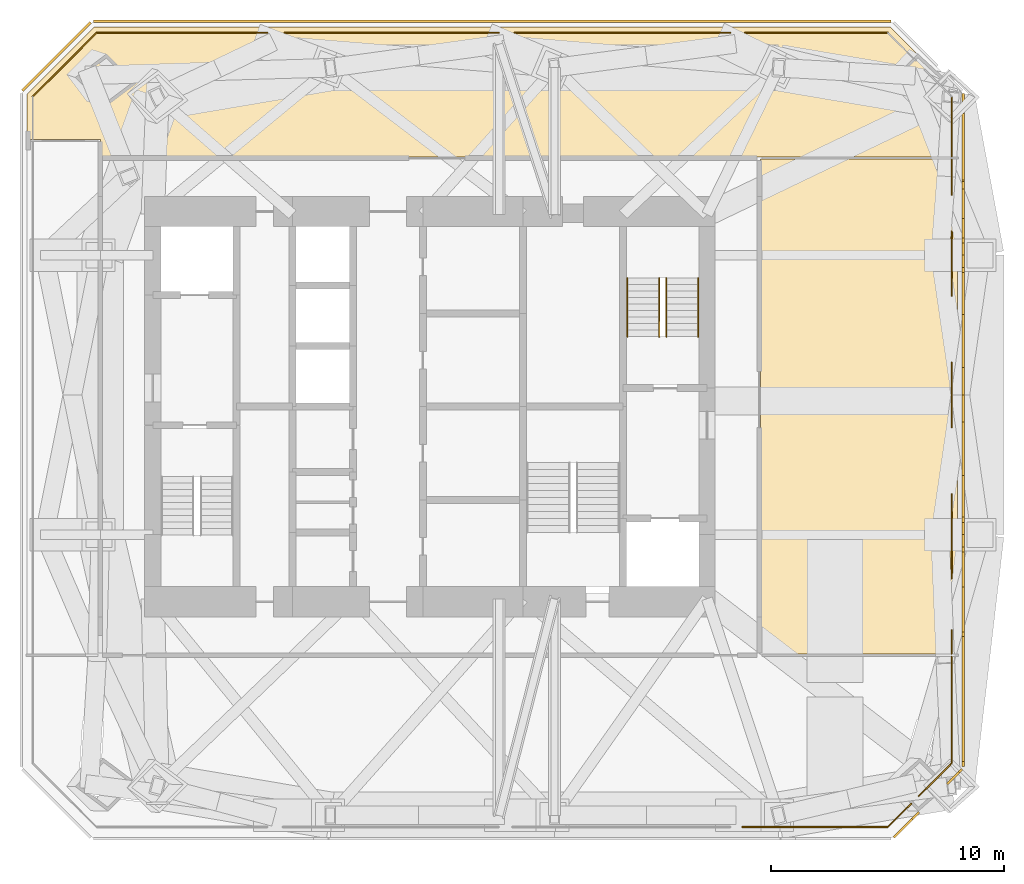
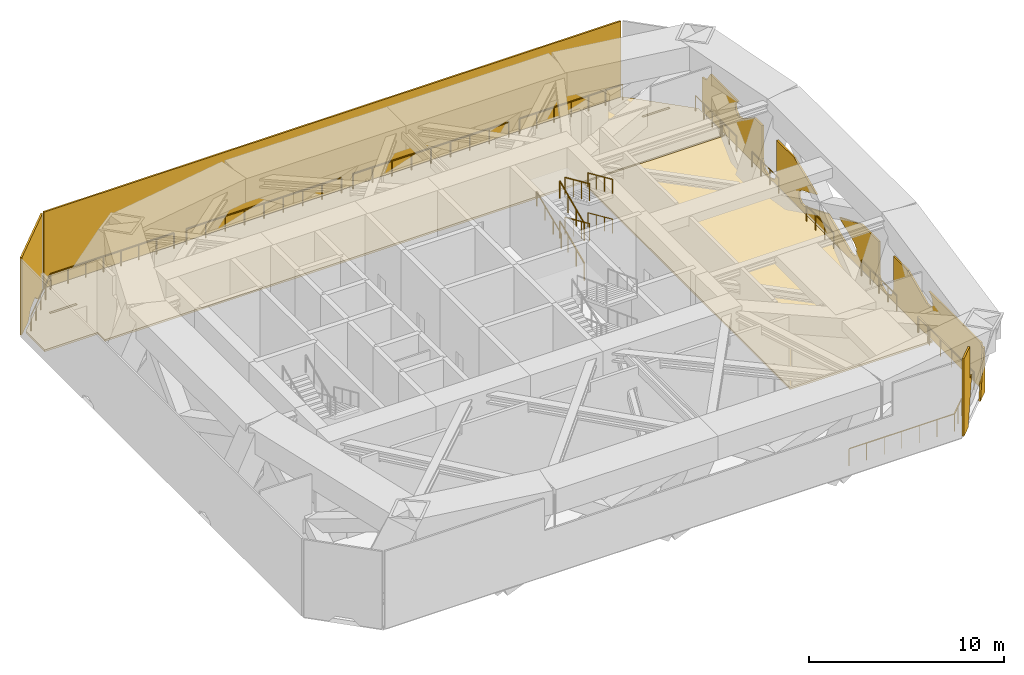
# One storey, part 8 of 9: 22 railings, 5 shading devices, 2 coverings.
"""IFC4 building model written with IfcOpenShell, lengths in metres."""

import ifcopenshell
import ifcopenshell.guid

model = None  # the IFC model being written
_history = None  # IfcOwnerHistory: only IFC2X3 demands one
_inside = {}  # id of a spatial element -> (the spatial element, [elements in it])
_under = {}  # id of a project, library or spatial element -> (it, [spatial elements below it])
_declared = {}  # id of a project -> (the project, [libraries it declares])
_typed = {}  # id of a type object -> (the type object, [elements of that type])
_made_of = {}  # id of a material, layer set ... -> (it, [elements and type objects made of it])


def new_model(schema):
    """Start an empty IFC model of exactly this schema.

    Asked for "IFC4X3", IfcOpenShell would pick the latest addendum, in which some entities
    have other attributes; the version numbers below select the first issue.
    IFC2X3 requires an IfcOwnerHistory on every rooted entity: one is made here for all.
    """
    global model, _history
    if schema == "IFC4X3":
        model = ifcopenshell.file(schema_version=(4, 3, 0, 0))
    else:
        model = ifcopenshell.file(schema=schema)
    _inside.clear()
    _under.clear()
    _declared.clear()
    _typed.clear()
    _made_of.clear()
    _history = None
    if model.schema == "IFC2X3":
        org = make("IfcOrganization", Name="unknown")
        user = make(
            "IfcPersonAndOrganization",
            ThePerson=make("IfcPerson", FamilyName="unknown"),
            TheOrganization=org,
        )
        app = make(
            "IfcApplication",
            ApplicationDeveloper=org,
            Version="unknown",
            ApplicationFullName="unknown",
            ApplicationIdentifier="unknown",
        )
        _history = make(
            "IfcOwnerHistory",
            OwningUser=user,
            OwningApplication=app,
            ChangeAction="ADDED",
            CreationDate=0,
        )
    return model


def make(cls, **values):
    """One entity of the class cls with the attributes given. An attribute that is None is left unset."""
    return model.create_entity(
        cls, **{name: value for name, value in values.items() if value is not None}
    )


def rooted(cls, **values):
    """An entity with a GlobalId (a new one), such as an element, a storey or a relation."""
    return make(cls, GlobalId=ifcopenshell.guid.new(), OwnerHistory=_history, **values)


def si_unit(unit_type, name, prefix=None):
    """IfcSIUnit, for example si_unit("LENGTHUNIT", "METRE", prefix="MILLI")."""
    return make("IfcSIUnit", UnitType=unit_type, Prefix=prefix, Name=name)


def assignment(units):
    """IfcUnitAssignment: the units of a project."""
    return None if units is None else make("IfcUnitAssignment", Units=units)


def point(xyz):
    """IfcCartesianPoint."""
    return None if xyz is None else make("IfcCartesianPoint", Coordinates=xyz)


def direction(xyz):
    """IfcDirection."""
    return None if xyz is None else make("IfcDirection", DirectionRatios=xyz)


def frame(location, z_axis=None, x_axis=None):
    """IfcAxis2Placement3D, a coordinate frame: its origin and axes. An axis left out is left unset."""
    return make(
        "IfcAxis2Placement3D",
        Location=point(location),
        Axis=direction(z_axis),
        RefDirection=direction(x_axis),
    )


def frame_2d(location, x_axis=None):
    """IfcAxis2Placement2D, a coordinate frame in the plane: its origin and x axis."""
    return make(
        "IfcAxis2Placement2D", Location=point(location), RefDirection=direction(x_axis)
    )


def origin():
    """The frame at (0, 0, 0) with its axes left unset."""
    return frame((0.0, 0.0, 0.0))


def origin_2d():
    """The frame at (0, 0) in the plane with its x axis left unset."""
    return frame_2d((0.0, 0.0))


def place(relative_to, where):
    """IfcLocalPlacement: puts the frame where relative to a parent placement (None: the world)."""
    return make(
        "IfcLocalPlacement", PlacementRelTo=relative_to, RelativePlacement=where
    )


def context(
    kind, dimensions, precision=None, world=None, true_north=None, identifier=None
):
    """IfcGeometricRepresentationContext, for example the 3D "Model" context."""
    return make(
        "IfcGeometricRepresentationContext",
        ContextIdentifier=identifier,
        ContextType=kind,
        CoordinateSpaceDimension=dimensions,
        Precision=precision,
        WorldCoordinateSystem=world,
        TrueNorth=true_north,
    )


def subcontext(parent, identifier, kind, view, scale=None):
    """IfcGeometricRepresentationSubContext, for example "Body" below "Model"."""
    return make(
        "IfcGeometricRepresentationSubContext",
        ContextIdentifier=identifier,
        ContextType=kind,
        ParentContext=parent,
        TargetScale=scale,
        TargetView=view,
    )


def project(units=None, contexts=None):
    """IfcProject with its units and contexts."""
    return rooted(
        "IfcProject",
        Name="project",
        RepresentationContexts=contexts,
        UnitsInContext=assignment(units),
    )


def spatial(cls, under=None, at=None, **own):
    """A site, building, storey or space (cls), placed at a placement, below another one or the project."""
    s = rooted(cls, ObjectPlacement=at, **own)
    if under is not None:
        _under.setdefault(under.id(), (under, []))[1].append(s)
    return s


def polyline(points):
    """IfcPolyline through the points."""
    return make("IfcPolyline", Points=[point(p) for p in points])


def profile(cls, at=None, kind="AREA", **sizes):
    """A parametric profile (cls). Its sizes go by their IFC names, for example OverallWidth=200.0."""
    return make(cls, ProfileType=kind, Position=at, **sizes)


def rectangle(**sizes):
    """IfcRectangleProfileDef."""
    return profile("IfcRectangleProfileDef", **sizes)


def circle(**sizes):
    """IfcCircleProfileDef."""
    return profile("IfcCircleProfileDef", **sizes)


def outline(outer, holes=None, kind="AREA"):
    """IfcArbitraryClosedProfileDef: a profile drawn as a closed curve; with holes, ...WithVoids."""
    if holes is None:
        return make("IfcArbitraryClosedProfileDef", ProfileType=kind, OuterCurve=outer)
    return make(
        "IfcArbitraryProfileDefWithVoids",
        ProfileType=kind,
        OuterCurve=outer,
        InnerCurves=holes,
    )


def extrude(swept, where, along, depth):
    """IfcExtrudedAreaSolid: the profile swept, set in the frame where, extruded along a direction by depth."""
    return make(
        "IfcExtrudedAreaSolid",
        SweptArea=swept,
        Position=where,
        ExtrudedDirection=direction(along),
        Depth=depth,
    )


def shape(context_of_items, identifier, shape_type, items):
    """IfcShapeRepresentation: the items that make up one representation, for example the "Body"."""
    return make(
        "IfcShapeRepresentation",
        ContextOfItems=context_of_items,
        RepresentationIdentifier=identifier,
        RepresentationType=shape_type,
        Items=items,
    )


def material(Name=None, Category=None):
    """IfcMaterial."""
    return make("IfcMaterial", Name=Name, Category=Category)


def layer(
    of_material, thickness, ventilated=None, Name=None, Category=None, Priority=None
):
    """IfcMaterialLayer: one layer of a wall or slab, of a material (None: an air gap)."""
    return make(
        "IfcMaterialLayer",
        Material=of_material,
        LayerThickness=thickness,
        IsVentilated=ventilated,
        Name=Name,
        Category=Category,
        Priority=Priority,
    )


def layer_set(layers, Name=None):
    """IfcMaterialLayerSet."""
    return make("IfcMaterialLayerSet", MaterialLayers=layers, LayerSetName=Name)


def constituent(of_material, Name=None, Category=None, fraction=None):
    """IfcMaterialConstituent: one of the materials an element consists of."""
    return make(
        "IfcMaterialConstituent",
        Name=Name,
        Material=of_material,
        Fraction=fraction,
        Category=Category,
    )


def constituent_set(constituents=None, Name=None):
    """IfcMaterialConstituentSet."""
    return make(
        "IfcMaterialConstituentSet", Name=Name, MaterialConstituents=constituents
    )


def made_of(thing, what):
    """Note that an element or type object is made of a material, layer set ...; save() writes the relation."""
    if what is not None:
        _made_of.setdefault(what.id(), (what, []))[1].append(thing)
    return thing


def type_object(cls, material=None, **own):
    """A type object (cls), such as IfcWallType, which elements share."""
    return made_of(rooted(cls, **own), material)


def element(
    cls,
    number,
    at=None,
    inside=None,
    cuts=None,
    type_object=None,
    material=None,
    context=None,
    identifier="Body",
    shape_type=None,
    held_by="IfcProductDefinitionShape",
    body=None,
    shapes=None,
    **own,
):
    """One element of the class cls, such as IfcWall. Its Tag is "e" and its number.

    at: its placement. inside: the storey or other place that contains it. cuts: it is an
    opening in that element (IfcRelVoidsElement). A single representation is given by context,
    identifier, shape_type and body (its items); several are given by shapes. held_by: the class
    of the entity that holds the representations. save() writes the other relations.
    """
    e = rooted(cls, Tag="e%d" % number, ObjectPlacement=at, **own)
    if body is not None:
        shapes = [shape(context, identifier, shape_type, body)]
    if shapes is not None:
        e.Representation = make(held_by, Representations=shapes)
    if inside is not None:
        _inside.setdefault(inside.id(), (inside, []))[1].append(e)
    if cuts is not None:
        rooted(
            "IfcRelVoidsElement", RelatingBuildingElement=cuts, RelatedOpeningElement=e
        )
    if type_object is not None:
        _typed.setdefault(type_object.id(), (type_object, []))[1].append(e)
    return made_of(e, material)


def aggregate(whole, parts):
    """IfcRelAggregates: a whole, such as a stair, and the parts it consists of."""
    return rooted("IfcRelAggregates", RelatingObject=whole, RelatedObjects=parts)


def save(model, path):
    """Write the relations noted so far, then the file.

    IfcRelAggregates (storeys below a building ...), IfcRelContainedInSpatialStructure (elements
    in a storey), IfcRelDefinesByType, IfcRelAssociatesMaterial and IfcRelDeclares: one each for
    every whole, place, type object, material and project.
    """
    for whole, parts in _under.values():
        aggregate(whole, parts)
    for where, things in _inside.values():
        rooted(
            "IfcRelContainedInSpatialStructure",
            RelatedElements=things,
            RelatingStructure=where,
        )
    for kind, things in _typed.values():
        rooted("IfcRelDefinesByType", RelatedObjects=things, RelatingType=kind)
    for what, things in _made_of.values():
        rooted("IfcRelAssociatesMaterial", RelatedObjects=things, RelatingMaterial=what)
    for by, libraries in _declared.values():
        rooted("IfcRelDeclares", RelatingContext=by, RelatedDefinitions=libraries)
    model.write(path)


model = new_model("IFC4")

# Units and contexts
model_context = context("Model", 3, precision=1e-05, world=origin(), true_north=direction((0.0, 1.0)))
body_context = subcontext(model_context, "Body", "Model", "MODEL_VIEW")
ifc_project = project(units=[si_unit("LENGTHUNIT", "METRE"), si_unit("AREAUNIT", "SQUARE_METRE"), si_unit("VOLUMEUNIT", "CUBIC_METRE"), si_unit("PLANEANGLEUNIT", "RADIAN"), si_unit("MASSUNIT", "GRAM", prefix="KILO")], contexts=[model_context])

# Site, building, storey
site_placement = place(None, origin())
site = spatial("IfcSite", under=ifc_project, at=site_placement, CompositionType="ELEMENT")
building_placement = place(site_placement, origin())
building = spatial("IfcBuilding", under=site, at=building_placement, Name="Jalousie Tower", CompositionType="ELEMENT")
storey_placement = place(building_placement, frame((0.0, 0.0, 212.949951171875)))
storey = spatial("IfcBuildingStorey", under=building, at=storey_placement, Name="L58", CompositionType="ELEMENT", Elevation=212.949951171875)

# Coverings
ifc_material_1 = material(Name="Sand-cement screed on resilient layer", Category="concrete")
ifc_layer_1 = layer(ifc_material_1, 0.1201171875)
ifc_layer_set_1 = layer_set([ifc_layer_1], Name="Sand-cement screed on resilient layer")
covering_type = type_object("IfcCoveringType", Name="FLOATING PLANT SCREED 120", PredefinedType="FLOORING", material=ifc_layer_set_1)
covering_1_placement = place(storey_placement, origin())
element("IfcCovering", 1, at=covering_1_placement, inside=storey, type_object=covering_type, Name="Floating screed Pump room", PredefinedType="FLOORING", context=body_context, shape_type="SweptSolid", body=[
    extrude(outline(polyline([(17.48291015625, 34.800048828125), (51.667236328125, 34.800048828125), (54.550048828125, 31.917236328125), (54.550048828125, 29.22509765625), (17.75, 29.22509765625), (17.75, 29.97509765625), (14.60009765625, 29.97509765625), (14.60009765625, 31.917236328125), (17.48291015625, 34.800048828125)]), holes=[polyline([(51.672119140625, 32.65966796875), (53.272216796875, 32.65966796875), (53.272216796875, 32.78466796875), (51.672119140625, 32.78466796875), (51.672119140625, 32.65966796875)]), polyline([(16.477783203125, 32.65966796875), (18.077880859375, 32.65966796875), (18.077880859375, 32.78466796875), (16.477783203125, 32.78466796875), (16.477783203125, 32.65966796875)])]), origin(), (0.0, 0.0, 1.0), 0.1201171875),
])
covering_2_placement = place(storey_placement, origin())
element("IfcCovering", 2, at=covering_2_placement, inside=storey, type_object=covering_type, Name="Floating screed Water tank room", PredefinedType="FLOORING", context=body_context, shape_type="SweptSolid", body=[
    extrude(outline(polyline([(54.550048828125, 29.125), (54.550048828125, 7.875), (46.10009765625, 7.875), (46.10009765625, 29.125), (54.550048828125, 29.125)])), origin(), (0.0, 0.0, 1.0), 0.1201171875),
])

# Railings
ifc_material_2 = material(Name="Stainless steel AISI 316", Category="steel")
railing_type_1 = type_object("IfcRailingType", Name="PLANT GUARDRAIL 1100", PredefinedType="GUARDRAIL", material=ifc_material_2)
railing_1_placement = place(storey_placement, frame((14.85009765625, 31.813720703125, 0.0)))
element("IfcRailing", 3, at=railing_1_placement, inside=storey, type_object=railing_type_1, Name="Plant floor guard L58 5", PredefinedType="GUARDRAIL", context=body_context, shape_type="SweptSolid", body=[
    extrude(rectangle(XDim=0.048095703125, YDim=0.048095703125, at=origin_2d()), frame((0.0, 0.0, 1.076171875), z_axis=(0.707106781187, 0.707106781187, 0.0), x_axis=(-0.707106781187, 0.707106781187, 0.0)), (0.0, 0.0, 1.0), 3.869873046875),
    extrude(circle(Radius=0.02099609375, at=origin_2d()), origin(), (0.0, 0.0, 1.0), 1.052001953125),
    extrude(circle(Radius=0.02099609375, at=origin_2d()), frame((0.68408203125, 0.68408203125, 0.0)), (0.0, 0.0, 1.0), 1.052001953125),
    extrude(circle(Radius=0.02099609375, at=origin_2d()), frame((1.3681640625, 1.3681640625, 0.0)), (0.0, 0.0, 1.0), 1.052001953125),
    extrude(circle(Radius=0.02099609375, at=origin_2d()), frame((2.05224609375, 2.05224609375, 0.0)), (0.0, 0.0, 1.0), 1.052001953125),
    extrude(circle(Radius=0.02099609375, at=origin_2d()), frame((2.736328125, 2.736328125, 0.0)), (0.0, 0.0, 1.0), 1.052001953125),
])
railing_2_placement = place(storey_placement, frame((17.58642578125, 34.550048828125, 0.0)))
element("IfcRailing", 4, at=railing_2_placement, inside=storey, type_object=railing_type_1, Name="Plant floor guard L58 6", PredefinedType="GUARDRAIL", context=body_context, shape_type="SweptSolid", body=[
    extrude(rectangle(XDim=0.048095703125, YDim=0.048095703125, at=origin_2d()), frame((0.0, 0.0, 1.076171875), z_axis=(1.0, 0.0, 0.0), x_axis=(0.0, 1.0, 0.0)), (0.0, 0.0, 1.0), 7.3310546875),
    extrude(circle(Radius=0.02099609375, at=origin_2d()), origin(), (0.0, 0.0, 1.0), 1.052001953125),
    extrude(circle(Radius=0.02099609375, at=origin_2d()), frame((1.04736328125, 0.0, 0.0)), (0.0, 0.0, 1.0), 1.052001953125),
    extrude(circle(Radius=0.02099609375, at=origin_2d()), frame((2.094482421875, 0.0, 0.0)), (0.0, 0.0, 1.0), 1.052001953125),
    extrude(circle(Radius=0.02099609375, at=origin_2d()), frame((3.141845703125, 0.0, 0.0)), (0.0, 0.0, 1.0), 1.052001953125),
    extrude(circle(Radius=0.02099609375, at=origin_2d()), frame((4.189208984375, 0.0, 0.0)), (0.0, 0.0, 1.0), 1.052001953125),
    extrude(circle(Radius=0.02099609375, at=origin_2d()), frame((5.236572265625, 0.0, 0.0)), (0.0, 0.0, 1.0), 1.052001953125),
    extrude(circle(Radius=0.02099609375, at=origin_2d()), frame((6.28369140625, 0.0, 0.0)), (0.0, 0.0, 1.0), 1.052001953125),
    extrude(circle(Radius=0.02099609375, at=origin_2d()), frame((7.3310546875, 0.0, 0.0)), (0.0, 0.0, 1.0), 1.052001953125),
])
railing_3_placement = place(storey_placement, frame((25.658447265625, 34.550048828125, 0.0)))
element("IfcRailing", 5, at=railing_3_placement, inside=storey, type_object=railing_type_1, Name="Plant floor guard L58 7", PredefinedType="GUARDRAIL", context=body_context, shape_type="SweptSolid", body=[
    extrude(rectangle(XDim=0.048095703125, YDim=0.048095703125, at=origin_2d()), frame((0.0, 0.0, 1.076171875), z_axis=(1.0, 0.0, 0.0), x_axis=(0.0, 1.0, 0.0)), (0.0, 0.0, 1.0), 9.196533203125),
    extrude(circle(Radius=0.02099609375, at=origin_2d()), origin(), (0.0, 0.0, 1.0), 1.052001953125),
    extrude(circle(Radius=0.02099609375, at=origin_2d()), frame((1.149658203125, 0.0, 0.0)), (0.0, 0.0, 1.0), 1.052001953125),
    extrude(circle(Radius=0.02099609375, at=origin_2d()), frame((2.299072265625, 0.0, 0.0)), (0.0, 0.0, 1.0), 1.052001953125),
    extrude(circle(Radius=0.02099609375, at=origin_2d()), frame((3.44873046875, 0.0, 0.0)), (0.0, 0.0, 1.0), 1.052001953125),
    extrude(circle(Radius=0.02099609375, at=origin_2d()), frame((4.59814453125, 0.0, 0.0)), (0.0, 0.0, 1.0), 1.052001953125),
    extrude(circle(Radius=0.02099609375, at=origin_2d()), frame((5.747802734375, 0.0, 0.0)), (0.0, 0.0, 1.0), 1.052001953125),
    extrude(circle(Radius=0.02099609375, at=origin_2d()), frame((6.8974609375, 0.0, 0.0)), (0.0, 0.0, 1.0), 1.052001953125),
    extrude(circle(Radius=0.02099609375, at=origin_2d()), frame((8.046875, 0.0, 0.0)), (0.0, 0.0, 1.0), 1.052001953125),
    extrude(circle(Radius=0.02099609375, at=origin_2d()), frame((9.196533203125, 0.0, 0.0)), (0.0, 0.0, 1.0), 1.052001953125),
])
railing_4_placement = place(storey_placement, frame((35.54296875, 34.550048828125, 0.0)))
element("IfcRailing", 6, at=railing_4_placement, inside=storey, type_object=railing_type_1, Name="Plant floor guard L58 8", PredefinedType="GUARDRAIL", context=body_context, shape_type="SweptSolid", body=[
    extrude(rectangle(XDim=0.048095703125, YDim=0.048095703125, at=origin_2d()), frame((0.0, 0.0, 1.076171875), z_axis=(1.0, 0.0, 0.0), x_axis=(0.0, 1.0, 0.0)), (0.0, 0.0, 1.0), 9.24951171875),
    extrude(circle(Radius=0.02099609375, at=origin_2d()), origin(), (0.0, 0.0, 1.0), 1.052001953125),
    extrude(circle(Radius=0.02099609375, at=origin_2d()), frame((1.15625, 0.0, 0.0)), (0.0, 0.0, 1.0), 1.052001953125),
    extrude(circle(Radius=0.02099609375, at=origin_2d()), frame((2.3125, 0.0, 0.0)), (0.0, 0.0, 1.0), 1.052001953125),
    extrude(circle(Radius=0.02099609375, at=origin_2d()), frame((3.468505859375, 0.0, 0.0)), (0.0, 0.0, 1.0), 1.052001953125),
    extrude(circle(Radius=0.02099609375, at=origin_2d()), frame((4.624755859375, 0.0, 0.0)), (0.0, 0.0, 1.0), 1.052001953125),
    extrude(circle(Radius=0.02099609375, at=origin_2d()), frame((5.781005859375, 0.0, 0.0)), (0.0, 0.0, 1.0), 1.052001953125),
    extrude(circle(Radius=0.02099609375, at=origin_2d()), frame((6.93701171875, 0.0, 0.0)), (0.0, 0.0, 1.0), 1.052001953125),
    extrude(circle(Radius=0.02099609375, at=origin_2d()), frame((8.09326171875, 0.0, 0.0)), (0.0, 0.0, 1.0), 1.052001953125),
    extrude(circle(Radius=0.02099609375, at=origin_2d()), frame((9.24951171875, 0.0, 0.0)), (0.0, 0.0, 1.0), 1.052001953125),
])
railing_5_placement = place(storey_placement, frame((45.431640625, 34.550048828125, 0.0)))
element("IfcRailing", 7, at=railing_5_placement, inside=storey, type_object=railing_type_1, Name="Plant floor guard L58 9", PredefinedType="GUARDRAIL", context=body_context, shape_type="SweptSolid", body=[
    extrude(rectangle(XDim=0.048095703125, YDim=0.048095703125, at=origin_2d()), frame((0.0, 0.0, 1.076171875), z_axis=(1.0, 0.0, 0.0), x_axis=(0.0, 1.0, 0.0)), (0.0, 0.0, 1.0), 6.132080078125),
    extrude(circle(Radius=0.02099609375, at=origin_2d()), origin(), (0.0, 0.0, 1.0), 1.052001953125),
    extrude(circle(Radius=0.02099609375, at=origin_2d()), frame((1.02197265625, 0.0, 0.0)), (0.0, 0.0, 1.0), 1.052001953125),
    extrude(circle(Radius=0.02099609375, at=origin_2d()), frame((2.0439453125, 0.0, 0.0)), (0.0, 0.0, 1.0), 1.052001953125),
    extrude(circle(Radius=0.02099609375, at=origin_2d()), frame((3.06591796875, 0.0, 0.0)), (0.0, 0.0, 1.0), 1.052001953125),
    extrude(circle(Radius=0.02099609375, at=origin_2d()), frame((4.088134765625, 0.0, 0.0)), (0.0, 0.0, 1.0), 1.052001953125),
    extrude(circle(Radius=0.02099609375, at=origin_2d()), frame((5.110107421875, 0.0, 0.0)), (0.0, 0.0, 1.0), 1.052001953125),
    extrude(circle(Radius=0.02099609375, at=origin_2d()), frame((6.132080078125, 0.0, 0.0)), (0.0, 0.0, 1.0), 1.052001953125),
])
railing_6_placement = place(storey_placement, frame((54.300048828125, 7.7548828125, 0.0)))
element("IfcRailing", 8, at=railing_6_placement, inside=storey, type_object=railing_type_1, Name="Plant floor guard L58 12", PredefinedType="GUARDRAIL", context=body_context, shape_type="SweptSolid", body=[
    extrude(rectangle(XDim=0.048095703125, YDim=0.048095703125, at=origin_2d()), frame((0.0, 0.0, 1.076171875), z_axis=(0.0, -1.0, 0.0), x_axis=(1.0, 0.0, 0.0)), (0.0, 0.0, 1.0), 4.568603515625),
    extrude(circle(Radius=0.02099609375, at=origin_2d()), origin(), (0.0, 0.0, 1.0), 1.052001953125),
    extrude(circle(Radius=0.02099609375, at=origin_2d()), frame((0.0, -1.14208984375, 0.0)), (0.0, 0.0, 1.0), 1.052001953125),
    extrude(circle(Radius=0.02099609375, at=origin_2d()), frame((0.0, -2.2841796875, 0.0)), (0.0, 0.0, 1.0), 1.052001953125),
    extrude(circle(Radius=0.02099609375, at=origin_2d()), frame((0.0, -3.426513671875, 0.0)), (0.0, 0.0, 1.0), 1.052001953125),
    extrude(circle(Radius=0.02099609375, at=origin_2d()), frame((0.0, -4.568603515625, 0.0)), (0.0, 0.0, 1.0), 1.052001953125),
])
railing_7_placement = place(storey_placement, frame((54.300048828125, 8.904296875, 0.0)))
element("IfcRailing", 9, at=railing_7_placement, inside=storey, type_object=railing_type_1, Name="Plant floor guard L58 13", PredefinedType="GUARDRAIL", context=body_context, shape_type="SweptSolid", body=[
    extrude(rectangle(XDim=0.048095703125, YDim=0.048095703125, at=origin_2d()), frame((0.0, 0.0, 1.076171875), z_axis=(0.0, -1.0, 0.0), x_axis=(1.0, 0.0, 0.0)), (0.0, 0.0, 1.0), 1.00927734375),
    extrude(circle(Radius=0.02099609375, at=origin_2d()), origin(), (0.0, 0.0, 1.0), 1.052001953125),
    extrude(circle(Radius=0.02099609375, at=origin_2d()), frame((0.0, -1.00927734375, 0.0)), (0.0, 0.0, 1.0), 1.052001953125),
])
railing_8_placement = place(storey_placement, frame((54.300048828125, 14.7451171875, 0.0)))
element("IfcRailing", 10, at=railing_8_placement, inside=storey, type_object=railing_type_1, Name="Plant floor guard L58 14", PredefinedType="GUARDRAIL", context=body_context, shape_type="SweptSolid", body=[
    extrude(rectangle(XDim=0.048095703125, YDim=0.048095703125, at=origin_2d()), frame((0.0, 0.0, 1.076171875), z_axis=(0.0, -1.0, 0.0), x_axis=(1.0, 0.0, 0.0)), (0.0, 0.0, 1.0), 3.620361328125),
    extrude(circle(Radius=0.02099609375, at=origin_2d()), origin(), (0.0, 0.0, 1.0), 1.052001953125),
    extrude(circle(Radius=0.02099609375, at=origin_2d()), frame((0.0, -0.905029296875, 0.0)), (0.0, 0.0, 1.0), 1.052001953125),
    extrude(circle(Radius=0.02099609375, at=origin_2d()), frame((0.0, -1.81005859375, 0.0)), (0.0, 0.0, 1.0), 1.052001953125),
    extrude(circle(Radius=0.02099609375, at=origin_2d()), frame((0.0, -2.71533203125, 0.0)), (0.0, 0.0, 1.0), 1.052001953125),
    extrude(circle(Radius=0.02099609375, at=origin_2d()), frame((0.0, -3.620361328125, 0.0)), (0.0, 0.0, 1.0), 1.052001953125),
])
railing_9_placement = place(storey_placement, frame((54.300048828125, 20.395751953125, 0.0)))
element("IfcRailing", 11, at=railing_9_placement, inside=storey, type_object=railing_type_1, Name="Plant floor guard L58 15", PredefinedType="GUARDRAIL", context=body_context, shape_type="SweptSolid", body=[
    extrude(rectangle(XDim=0.048095703125, YDim=0.048095703125, at=origin_2d()), frame((0.0, 0.0, 1.076171875), z_axis=(0.0, -1.0, 0.0), x_axis=(1.0, 0.0, 0.0)), (0.0, 0.0, 1.0), 2.79150390625),
    extrude(circle(Radius=0.02099609375, at=origin_2d()), origin(), (0.0, 0.0, 1.0), 1.052001953125),
    extrude(circle(Radius=0.02099609375, at=origin_2d()), frame((0.0, -0.930419921875, 0.0)), (0.0, 0.0, 1.0), 1.052001953125),
    extrude(circle(Radius=0.02099609375, at=origin_2d()), frame((0.0, -1.861083984375, 0.0)), (0.0, 0.0, 1.0), 1.052001953125),
    extrude(circle(Radius=0.02099609375, at=origin_2d()), frame((0.0, -2.79150390625, 0.0)), (0.0, 0.0, 1.0), 1.052001953125),
])
railing_10_placement = place(storey_placement, frame((54.300048828125, 26.006591796875, 0.0)))
element("IfcRailing", 12, at=railing_10_placement, inside=storey, type_object=railing_type_1, Name="Plant floor guard L58 16", PredefinedType="GUARDRAIL", context=body_context, shape_type="SweptSolid", body=[
    extrude(rectangle(XDim=0.048095703125, YDim=0.048095703125, at=origin_2d()), frame((0.0, 0.0, 1.076171875), z_axis=(0.0, -1.0, 0.0), x_axis=(1.0, 0.0, 0.0)), (0.0, 0.0, 1.0), 2.751708984375),
    extrude(circle(Radius=0.02099609375, at=origin_2d()), origin(), (0.0, 0.0, 1.0), 1.052001953125),
    extrude(circle(Radius=0.02099609375, at=origin_2d()), frame((0.0, -0.917236328125, 0.0)), (0.0, 0.0, 1.0), 1.052001953125),
    extrude(circle(Radius=0.02099609375, at=origin_2d()), frame((0.0, -1.83447265625, 0.0)), (0.0, 0.0, 1.0), 1.052001953125),
    extrude(circle(Radius=0.02099609375, at=origin_2d()), frame((0.0, -2.751708984375, 0.0)), (0.0, 0.0, 1.0), 1.052001953125),
])
railing_11_placement = place(storey_placement, frame((54.300048828125, 29.10498046875, 0.0)))
element("IfcRailing", 13, at=railing_11_placement, inside=storey, type_object=railing_type_1, Name="Plant floor guard L58 17", PredefinedType="GUARDRAIL", context=body_context, shape_type="SweptSolid", body=[
    extrude(rectangle(XDim=0.048095703125, YDim=0.048095703125, at=origin_2d()), frame((0.0, 0.0, 1.076171875), z_axis=(0.0, -1.0, 0.0), x_axis=(1.0, 0.0, 0.0)), (0.0, 0.0, 1.0), 1.517578125),
    extrude(circle(Radius=0.02099609375, at=origin_2d()), origin(), (0.0, 0.0, 1.0), 1.052001953125),
    extrude(circle(Radius=0.02099609375, at=origin_2d()), frame((0.0, -0.7587890625, 0.0)), (0.0, 0.0, 1.0), 1.052001953125),
    extrude(circle(Radius=0.02099609375, at=origin_2d()), frame((0.0, -1.517578125, 0.0)), (0.0, 0.0, 1.0), 1.052001953125),
])
railing_12_placement = place(storey_placement, frame((54.300048828125, 31.813720703125, 0.0)))
element("IfcRailing", 14, at=railing_12_placement, inside=storey, type_object=railing_type_1, Name="Plant floor guard L58 18", PredefinedType="GUARDRAIL", context=body_context, shape_type="SweptSolid", body=[
    extrude(rectangle(XDim=0.048095703125, YDim=0.048095703125, at=origin_2d()), frame((0.0, 0.0, 1.076171875), z_axis=(0.0, -1.0, 0.0), x_axis=(1.0, 0.0, 0.0)), (0.0, 0.0, 1.0), 2.568603515625),
    extrude(circle(Radius=0.02099609375, at=origin_2d()), origin(), (0.0, 0.0, 1.0), 1.052001953125),
    extrude(circle(Radius=0.02099609375, at=origin_2d()), frame((0.0, -0.856201171875, 0.0)), (0.0, 0.0, 1.0), 1.052001953125),
    extrude(circle(Radius=0.02099609375, at=origin_2d()), frame((0.0, -1.71240234375, 0.0)), (0.0, 0.0, 1.0), 1.052001953125),
    extrude(circle(Radius=0.02099609375, at=origin_2d()), frame((0.0, -2.568603515625, 0.0)), (0.0, 0.0, 1.0), 1.052001953125),
])
railing_13_placement = place(storey_placement, frame((52.567138671875, 1.45361328125, 0.0)))
element("IfcRailing", 15, at=railing_13_placement, inside=storey, type_object=railing_type_1, Name="Plant floor guard L58 19", PredefinedType="GUARDRAIL", context=body_context, shape_type="SweptSolid", body=[
    extrude(rectangle(XDim=0.048095703125, YDim=0.048095703125, at=origin_2d()), frame((0.0, 0.0, 1.076171875), z_axis=(-0.707020763697, -0.707192788214, 0.0), x_axis=(0.707192788214, -0.707020763697, 0.0)), (0.0, 0.0, 1.0), 1.419189453125),
    extrude(circle(Radius=0.02099609375, at=origin_2d()), origin(), (0.0, 0.0, 1.0), 1.052001953125),
    extrude(circle(Radius=0.02099609375, at=origin_2d()), frame((-0.501708984375, -0.501953125, 0.0)), (0.0, 0.0, 1.0), 1.052001953125),
    extrude(circle(Radius=0.02099609375, at=origin_2d()), frame((-1.00341796875, -1.003662109375, 0.0)), (0.0, 0.0, 1.0), 1.052001953125),
])
railing_14_placement = place(storey_placement, frame((54.300048828125, 3.186279296875, 0.0)))
element("IfcRailing", 16, at=railing_14_placement, inside=storey, type_object=railing_type_1, Name="Plant floor guard L58 20", PredefinedType="GUARDRAIL", context=body_context, shape_type="SweptSolid", body=[
    extrude(rectangle(XDim=0.048095703125, YDim=0.048095703125, at=origin_2d()), frame((0.0, 0.0, 1.076171875), z_axis=(-0.707168090137, -0.70704546692, 0.0), x_axis=(0.70704546692, -0.707168090137, 0.0)), (0.0, 0.0, 1.0), 1.990966796875),
    extrude(circle(Radius=0.02099609375, at=origin_2d()), origin(), (0.0, 0.0, 1.0), 1.052001953125),
    extrude(circle(Radius=0.02099609375, at=origin_2d()), frame((-0.7041015625, -0.703857421875, 0.0)), (0.0, 0.0, 1.0), 1.052001953125),
    extrude(circle(Radius=0.02099609375, at=origin_2d()), frame((-1.407958984375, -1.40771484375, 0.0)), (0.0, 0.0, 1.0), 1.052001953125),
])
railing_15_placement = place(storey_placement, frame((51.563720703125, 0.449951171875, 0.0)))
element("IfcRailing", 17, at=railing_15_placement, inside=storey, type_object=railing_type_1, Name="Plant floor guard L58 24", PredefinedType="GUARDRAIL", context=body_context, shape_type="SweptSolid", body=[
    extrude(rectangle(XDim=0.048095703125, YDim=0.048095703125, at=origin_2d()), frame((0.0, 0.0, 1.076171875), z_axis=(-1.0, 0.0, 0.0), x_axis=(0.0, -1.0, 0.0)), (0.0, 0.0, 1.0), 6.2568359375),
    extrude(circle(Radius=0.02099609375, at=origin_2d()), origin(), (0.0, 0.0, 1.0), 1.052001953125),
    extrude(circle(Radius=0.02099609375, at=origin_2d()), frame((-1.042724609375, 0.0, 0.0)), (0.0, 0.0, 1.0), 1.052001953125),
    extrude(circle(Radius=0.02099609375, at=origin_2d()), frame((-2.085693359375, 0.0, 0.0)), (0.0, 0.0, 1.0), 1.052001953125),
    extrude(circle(Radius=0.02099609375, at=origin_2d()), frame((-3.12841796875, 0.0, 0.0)), (0.0, 0.0, 1.0), 1.052001953125),
    extrude(circle(Radius=0.02099609375, at=origin_2d()), frame((-4.171142578125, 0.0, 0.0)), (0.0, 0.0, 1.0), 1.052001953125),
    extrude(circle(Radius=0.02099609375, at=origin_2d()), frame((-5.214111328125, 0.0, 0.0)), (0.0, 0.0, 1.0), 1.052001953125),
    extrude(circle(Radius=0.02099609375, at=origin_2d()), frame((-6.2568359375, 0.0, 0.0)), (0.0, 0.0, 1.0), 1.052001953125),
])

# Shading devices
ifc_material_3 = material(Name="Aluminium storm louvres", Category="aluminium")
ifc_layer_2 = layer(ifc_material_3, 0.10009765625)
ifc_layer_set_2 = layer_set([ifc_layer_2], Name="Aluminium storm louvres")
shading_device_type = type_object("IfcShadingDeviceType", Name="PLANT LOUVRE SCREEN", PredefinedType="JALOUSIE", material=ifc_layer_set_2)
shading_device_1_placement = place(storey_placement, frame((51.856201171875, -0.035400390625, -0.14990234375), z_axis=(0.70721261424, -0.707000932281, -3.634685e-06), x_axis=(0.707000932286, 0.707212614245, -1.61e-10)))
element("IfcShadingDevice", 18, at=shading_device_1_placement, inside=storey, type_object=shading_device_type, Name="Plant louvre screen L58 2", PredefinedType="JALOUSIE", context=body_context, shape_type="SweptSolid", body=[
    extrude(outline(polyline([(0.0, 0.0), (0.8902709315356969, 2.117582368135751e-22), (0.8626495731754665, 0.18383789060431796), (1.5224547698709106, 2.8498535160517426), (1.1267788117839708, 2.8498535157728675), (1.126778811459232, 4.869873047009524), (-7.828812414620732e-10, 4.869873046842832), (0.0, 0.0)])), origin(), (0.0, 0.0, -1.0), 0.10009765625),
])
shading_device_2_placement = place(storey_placement, frame((54.785400390625, 2.893798828125, -0.14990234375), z_axis=(0.706993471835, -0.707220072307, -1.0463262e-05), x_axis=(7.397458e-06, -7.399829e-06, 0.999999999945)))
element("IfcShadingDevice", 19, at=shading_device_2_placement, inside=storey, type_object=shading_device_type, Name="Plant louvre screen L58 3", PredefinedType="JALOUSIE", context=body_context, shape_type="SweptSolid", body=[
    extrude(outline(polyline([(0.0, 0.0), (2.8498535154689995, 2.413919822582873e-21), (2.849853515781001, 0.18609890144872937), (-3.120015246010018e-10, 0.8913067328372475), (0.0, 0.0)])), origin(), (0.0, 0.0, -1.0), 0.10009765625),
])
shading_device_3_placement = place(storey_placement, frame((54.85009765625, 31.949951171875, -0.14990234375), z_axis=(1.0, 0.0, 0.0), x_axis=(0.0, 0.0, 1.0)))
element("IfcShadingDevice", 20, at=shading_device_3_placement, inside=storey, type_object=shading_device_type, Name="Plant louvre screen L58 4", PredefinedType="JALOUSIE", context=body_context, shape_type="SweptSolid", body=[
    extrude(outline(polyline([(0.0, 0.0), (2.1396484375, 0.0), (2.238525390625, 0.465576171875), (2.849853515625, 0.863037109375), (2.849853515625, 3.72216796875), (2.787353515625, 3.625), (2.50390625, 3.429443359375), (2.1650390625, 3.491455078125), (1.96923828125, 3.774658203125), (2.03125, 4.113525390625), (2.849853515625, 5.38037109375), (2.849853515625, 6.199951171875), (0.77490234375, 6.199951171875), (0.24462890625, 6.419677734375), (0.02490234375, 6.949951171875), (0.24462890625, 7.480224609375), (0.77490234375, 7.699951171875), (2.849853515625, 7.699951171875), (2.849853515625, 9.5), (1.89990234375, 11.780029296875), (1.2529296875, 10.226806640625), (1.0087890625, 9.98388671875), (0.664306640625, 9.984619140625), (0.42138671875, 10.228759765625), (0.422119140625, 10.572998046875), (1.412353515625, 12.949951171875), (0.422119140625, 15.326904296875), (0.42138671875, 15.671142578125), (0.664306640625, 15.915283203125), (1.0087890625, 15.916015625), (1.2529296875, 15.673095703125), (1.89990234375, 14.119873046875), (2.849853515625, 16.39990234375), (2.849853515625, 18.199951171875), (0.77490234375, 18.199951171875), (0.24462890625, 18.419677734375), (0.02490234375, 18.949951171875), (0.24462890625, 19.480224609375), (0.77490234375, 19.699951171875), (2.849853515625, 19.699951171875), (2.849853515625, 21.203857421875), (1.955078125, 23.118896484375), (1.93994140625, 23.462890625), (2.17236328125, 23.717041015625), (2.516357421875, 23.732421875), (2.7705078125, 23.499755859375), (2.849853515625, 23.329833984375), (2.849853515625, 28.68505859375), (2.375244140625, 28.89990234375), (0.0, 28.89990234375), (0.0, 0.0)])), origin(), (0.0, 0.0, -1.0), 0.10009765625),
])
shading_device_4_placement = place(storey_placement, frame((17.449951171875, 35.10009765625, -0.14990234375), z_axis=(0.0, 1.0, 0.0), x_axis=(0.0, 0.0, 1.0)))
element("IfcShadingDevice", 21, at=shading_device_4_placement, inside=storey, type_object=shading_device_type, Name="Plant louvre screen L58 7", PredefinedType="JALOUSIE", context=body_context, shape_type="SweptSolid", body=[
    extrude(outline(polyline([(0.0, 0.0), (4.869873046875, 0.0), (4.869873046875, 34.25), (0.0, 34.25), (0.0, 0.0)])), origin(), (0.0, 0.0, -1.0), 0.10009765625),
])
shading_device_5_placement = place(storey_placement, frame((17.2939453125, 35.035400390625, -0.14990234375), z_axis=(-0.707074540543, 0.70713902034, -5.327167e-06), x_axis=(-0.70713902035, -0.707074540553, -2.43e-10)))
element("IfcShadingDevice", 22, at=shading_device_5_placement, inside=storey, type_object=shading_device_type, Name="Plant louvre screen L58 8", PredefinedType="JALOUSIE", context=body_context, shape_type="SweptSolid", body=[
    extrude(outline(polyline([(0.0, 0.0), (0.8058531374872906, 0.0), (1.520037898808523, 0.5993652352861429), (2.417904679324612, 0.49365234374299544), (2.8077111028477497, -8.470329472543003e-22), (4.14268589910554, 9.196474699627586e-10), (4.14268589792271, 4.869873047725547), (-1.1828308252226071e-09, 4.8698730468059), (0.0, 0.0)])), origin(), (0.0, 0.0, -1.0), 0.10009765625),
])

# Railings
ifc_material_4 = material(Name="Steel ASTM A500 Grade C", Category="steel")
ifc_constituent_1 = constituent(ifc_material_4, Name="Body")
ifc_material_5 = material(Name="Hot-dip galvanised zinc coating")
ifc_constituent_2 = constituent(ifc_material_5, Name="Finish")
ifc_constituent_set_1 = constituent_set(constituents=[ifc_constituent_1, ifc_constituent_2])
railing_type_2 = type_object("IfcRailingType", Name="STAIR GUARD 1100", PredefinedType="GUARDRAIL", material=ifc_constituent_set_1)
railing_16_placement = place(storey_placement, frame((41.7451171875, 21.50244140625, 0.125)))
element("IfcRailing", 23, at=railing_16_placement, inside=storey, type_object=railing_type_2, Name="Exit stair B guard L58 flight 1", PredefinedType="GUARDRAIL", context=body_context, shape_type="SweptSolid", body=[
    extrude(rectangle(XDim=0.048095703125, YDim=0.048095703125, at=origin_2d()), frame((0.0, 0.0, 1.076171875), z_axis=(0.0, 0.913139058521, 0.407648205936), x_axis=(-1.0, 0.0, 0.0)), (0.0, 0.0, 1.0), 2.759765625),
    extrude(circle(Radius=0.02099609375, at=origin_2d()), origin(), (0.0, 0.0, 1.0), 1.052001953125),
    extrude(circle(Radius=0.02099609375, at=origin_2d()), frame((0.0, 0.840087890625, 0.375)), (0.0, 0.0, 1.0), 1.052001953125),
    extrude(circle(Radius=0.02099609375, at=origin_2d()), frame((0.0, 1.679931640625, 0.75)), (0.0, 0.0, 1.0), 1.052001953125),
    extrude(circle(Radius=0.02099609375, at=origin_2d()), frame((0.0, 2.52001953125, 1.125)), (0.0, 0.0, 1.0), 1.052001953125),
])
railing_17_placement = place(storey_placement, frame((42.054931640625, 24.0224609375, 1.375)))
element("IfcRailing", 24, at=railing_17_placement, inside=storey, type_object=railing_type_2, Name="Exit stair B guard L58 flight 2", PredefinedType="GUARDRAIL", context=body_context, shape_type="SweptSolid", body=[
    extrude(rectangle(XDim=0.048095703125, YDim=0.048095703125, at=origin_2d()), frame((0.0, 0.0, 1.076171875), z_axis=(0.0, -0.913139058521, 0.407648205936), x_axis=(1.0, 0.0, 0.0)), (0.0, 0.0, 1.0), 2.759765625),
    extrude(circle(Radius=0.02099609375, at=origin_2d()), origin(), (0.0, 0.0, 1.0), 1.052001953125),
    extrude(circle(Radius=0.02099609375, at=origin_2d()), frame((0.0, -0.840087890625, 0.375)), (0.0, 0.0, 1.0), 1.052001953125),
    extrude(circle(Radius=0.02099609375, at=origin_2d()), frame((0.0, -1.679931640625, 0.75)), (0.0, 0.0, 1.0), 1.052001953125),
    extrude(circle(Radius=0.02099609375, at=origin_2d()), frame((0.0, -2.52001953125, 1.125)), (0.0, 0.0, 1.0), 1.052001953125),
])
railing_18_placement = place(storey_placement, frame((41.7451171875, 21.50244140625, 2.625)))
element("IfcRailing", 25, at=railing_18_placement, inside=storey, type_object=railing_type_2, Name="Exit stair B guard L58 flight 3", PredefinedType="GUARDRAIL", context=body_context, shape_type="SweptSolid", body=[
    extrude(rectangle(XDim=0.048095703125, YDim=0.048095703125, at=origin_2d()), frame((0.0, 0.0, 1.076171875), z_axis=(0.0, 0.913139058521, 0.407648205936), x_axis=(-1.0, 0.0, 0.0)), (0.0, 0.0, 1.0), 2.759765625),
    extrude(circle(Radius=0.02099609375, at=origin_2d()), origin(), (0.0, 0.0, 1.0), 1.052001953125),
    extrude(circle(Radius=0.02099609375, at=origin_2d()), frame((0.0, 0.840087890625, 0.375)), (0.0, 0.0, 1.0), 1.052001953125),
    extrude(circle(Radius=0.02099609375, at=origin_2d()), frame((0.0, 1.679931640625, 0.75)), (0.0, 0.0, 1.0), 1.052001953125),
    extrude(circle(Radius=0.02099609375, at=origin_2d()), frame((0.0, 2.52001953125, 1.125)), (0.0, 0.0, 1.0), 1.052001953125),
])
railing_19_placement = place(storey_placement, frame((42.054931640625, 24.0224609375, 3.875)))
element("IfcRailing", 26, at=railing_19_placement, inside=storey, type_object=railing_type_2, Name="Exit stair B guard L58 flight 4", PredefinedType="GUARDRAIL", context=body_context, shape_type="SweptSolid", body=[
    extrude(rectangle(XDim=0.048095703125, YDim=0.048095703125, at=origin_2d()), frame((0.0, 0.0, 1.076171875), z_axis=(0.0, -0.913139058521, 0.407648205936), x_axis=(1.0, 0.0, 0.0)), (0.0, 0.0, 1.0), 2.759765625),
    extrude(circle(Radius=0.02099609375, at=origin_2d()), origin(), (0.0, 0.0, 1.0), 1.052001953125),
    extrude(circle(Radius=0.02099609375, at=origin_2d()), frame((0.0, -0.840087890625, 0.375)), (0.0, 0.0, 1.0), 1.052001953125),
    extrude(circle(Radius=0.02099609375, at=origin_2d()), frame((0.0, -1.679931640625, 0.75)), (0.0, 0.0, 1.0), 1.052001953125),
    extrude(circle(Radius=0.02099609375, at=origin_2d()), frame((0.0, -2.52001953125, 1.125)), (0.0, 0.0, 1.0), 1.052001953125),
])
ifc_material_6 = material(Name="Steel ASTM A500 Grade C", Category="steel")
ifc_constituent_3 = constituent(ifc_material_6, Name="Body")
ifc_material_7 = material(Name="Hot-dip galvanised zinc coating")
ifc_constituent_4 = constituent(ifc_material_7, Name="Finish")
ifc_constituent_set_2 = constituent_set(constituents=[ifc_constituent_3, ifc_constituent_4])
railing_type_3 = type_object("IfcRailingType", Name="STAIR HANDRAIL 900", PredefinedType="HANDRAIL", material=ifc_constituent_set_2)
railing_20_placement = place(storey_placement, frame((43.419921875, 24.0224609375, 1.375)))
element("IfcRailing", 27, at=railing_20_placement, inside=storey, type_object=railing_type_3, Name="Exit stair B handrail L58 flight 2", PredefinedType="HANDRAIL", context=body_context, shape_type="SweptSolid", body=[
    extrude(circle(Radius=0.02392578125, at=origin_2d()), frame((0.0, 0.0, 0.8759765625), z_axis=(0.0, -0.913139058521, 0.407648205936), x_axis=(1.0, 0.0, 0.0)), (0.0, 0.0, 1.0), 2.759765625),
    extrude(circle(Radius=0.02099609375, at=origin_2d()), origin(), (0.0, 0.0, 1.0), 0.851806640625),
    extrude(circle(Radius=0.02099609375, at=origin_2d()), frame((0.0, -0.840087890625, 0.375)), (0.0, 0.0, 1.0), 0.851806640625),
    extrude(circle(Radius=0.02099609375, at=origin_2d()), frame((0.0, -1.679931640625, 0.75)), (0.0, 0.0, 1.0), 0.851806640625),
    extrude(circle(Radius=0.02099609375, at=origin_2d()), frame((0.0, -2.52001953125, 1.125)), (0.0, 0.0, 1.0), 0.851806640625),
])
railing_21_placement = place(storey_placement, frame((40.3798828125, 21.50244140625, 2.625)))
element("IfcRailing", 28, at=railing_21_placement, inside=storey, type_object=railing_type_3, Name="Exit stair B handrail L58 flight 3", PredefinedType="HANDRAIL", context=body_context, shape_type="SweptSolid", body=[
    extrude(circle(Radius=0.02392578125, at=origin_2d()), frame((0.0, 0.0, 0.8759765625), z_axis=(0.0, 0.913139058521, 0.407648205936), x_axis=(-1.0, 0.0, 0.0)), (0.0, 0.0, 1.0), 2.759765625),
    extrude(circle(Radius=0.02099609375, at=origin_2d()), origin(), (0.0, 0.0, 1.0), 0.851806640625),
    extrude(circle(Radius=0.02099609375, at=origin_2d()), frame((0.0, 0.840087890625, 0.375)), (0.0, 0.0, 1.0), 0.851806640625),
    extrude(circle(Radius=0.02099609375, at=origin_2d()), frame((0.0, 1.679931640625, 0.75)), (0.0, 0.0, 1.0), 0.851806640625),
    extrude(circle(Radius=0.02099609375, at=origin_2d()), frame((0.0, 2.52001953125, 1.125)), (0.0, 0.0, 1.0), 0.851806640625),
])
railing_22_placement = place(storey_placement, frame((43.419921875, 24.0224609375, 3.875)))
element("IfcRailing", 29, at=railing_22_placement, inside=storey, type_object=railing_type_3, Name="Exit stair B handrail L58 flight 4", PredefinedType="HANDRAIL", context=body_context, shape_type="SweptSolid", body=[
    extrude(circle(Radius=0.02392578125, at=origin_2d()), frame((0.0, 0.0, 0.8759765625), z_axis=(0.0, -0.913139058521, 0.407648205936), x_axis=(1.0, 0.0, 0.0)), (0.0, 0.0, 1.0), 2.759765625),
    extrude(circle(Radius=0.02099609375, at=origin_2d()), origin(), (0.0, 0.0, 1.0), 0.851806640625),
    extrude(circle(Radius=0.02099609375, at=origin_2d()), frame((0.0, -0.840087890625, 0.375)), (0.0, 0.0, 1.0), 0.851806640625),
    extrude(circle(Radius=0.02099609375, at=origin_2d()), frame((0.0, -1.679931640625, 0.75)), (0.0, 0.0, 1.0), 0.851806640625),
    extrude(circle(Radius=0.02099609375, at=origin_2d()), frame((0.0, -2.52001953125, 1.125)), (0.0, 0.0, 1.0), 0.851806640625),
])

save(model, "model.ifc")
